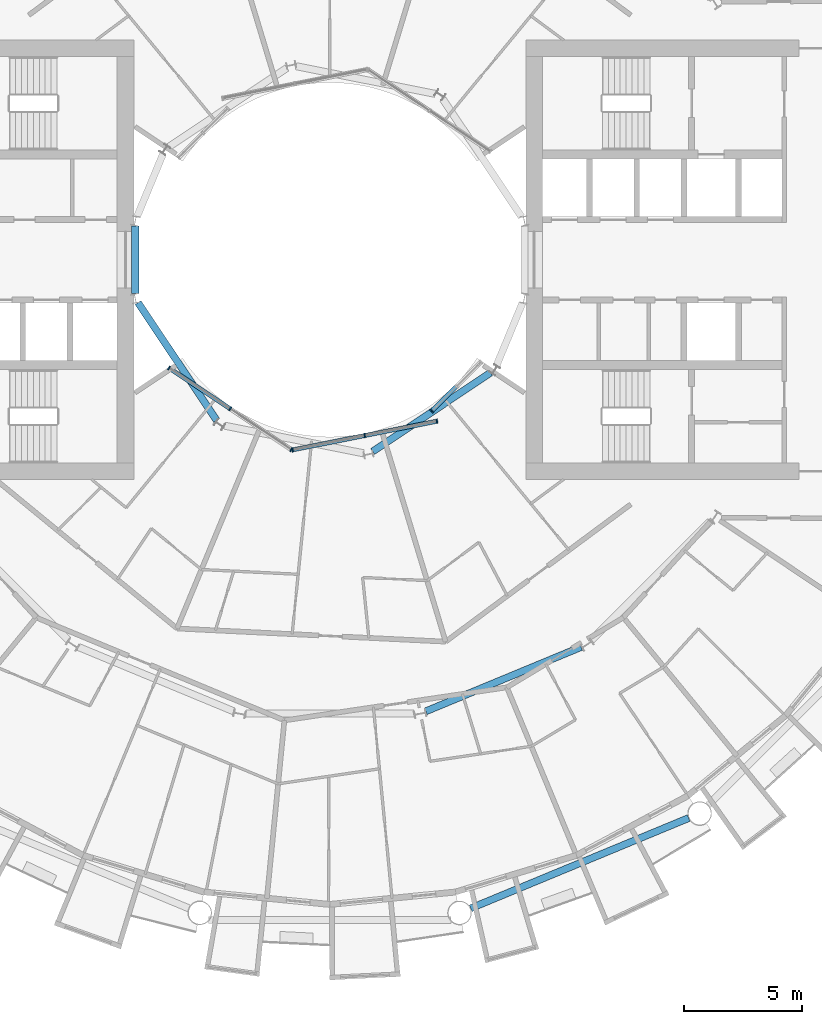
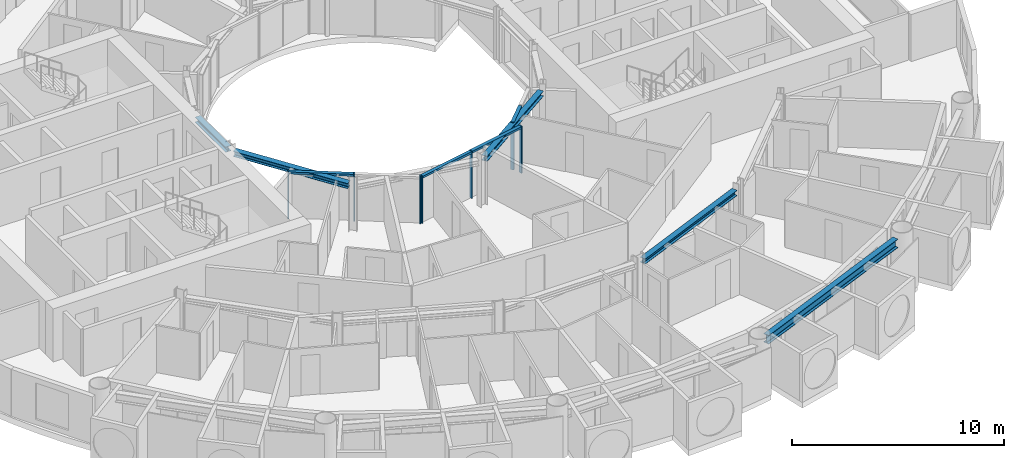
# One storey, part 5 of 26: 11 members, 5 beams, 3 elements without a shape of their own.
"""IFC4 building model written with IfcOpenShell, lengths in metres."""

from ifc_helpers import new_model, si_unit, direction, frame, origin, origin_2d, place, context, subcontext, project, spatial, rectangle, i_section, extrude, material, layer, layer_set, material_profile, profile_set, type_object, element, aggregate, save


model = new_model("IFC4")

# Units and contexts
model_context = context("Model", 3, precision=1e-05, world=origin(), true_north=direction((0.0, 1.0)))
body_context = subcontext(model_context, "Body", "Model", "MODEL_VIEW")
ifc_project = project(units=[si_unit("LENGTHUNIT", "METRE"), si_unit("AREAUNIT", "SQUARE_METRE"), si_unit("VOLUMEUNIT", "CUBIC_METRE"), si_unit("PLANEANGLEUNIT", "RADIAN"), si_unit("MASSUNIT", "GRAM", prefix="KILO")], contexts=[model_context])

# Site, building, storey
site_placement = place(None, origin())
site = spatial("IfcSite", under=ifc_project, at=site_placement, CompositionType="ELEMENT")
building_placement = place(site_placement, origin())
building = spatial("IfcBuilding", under=site, at=building_placement, Name="Maasbend Ring Residences", CompositionType="ELEMENT")
storey_placement = place(building_placement, frame((0.0, 0.0, 78.85009765625)))
storey = spatial("IfcBuildingStorey", under=building, at=storey_placement, Name="L22", CompositionType="ELEMENT", Elevation=78.85009765625)

# Curtain wall, members
ifc_material_1 = material(Name="Aluminium and clear glass", Category="aluminium")
ifc_layer = layer(ifc_material_1, 0.179931640625)
ifc_layer_set = layer_set([ifc_layer], Name="CW-W")
curtain_wall_type = type_object("IfcCurtainWallType", Name="CW-W", PredefinedType="NOTDEFINED", material=ifc_layer_set)
curtain_wall_1_placement = place(storey_placement, origin())
curtain_wall_1 = element("IfcCurtainWall", 1, at=curtain_wall_1_placement, inside=storey, type_object=curtain_wall_type, Name="Well curtain wall S1", PredefinedType="NOTDEFINED")
ifc_material_2 = material(Name="Aluminium 6063-T6", Category="aluminium")
ifc_material_profile_1 = material_profile(ifc_material_2, rectangle(XDim=0.179931640625, YDim=0.06005859375, at=origin_2d()), Name="AL 180x60")
ifc_profile_set_1 = profile_set([ifc_material_profile_1], Name="Aluminium 6063-T6")
member_type_1 = type_object("IfcMemberType", Name="CWM-W", PredefinedType="MULLION", material=ifc_profile_set_1)
member_1_placement = place(storey_placement, frame((-6.805908203125, -4.580810546875, 0.0), z_axis=(0.0, 0.0, 1.0), x_axis=(0.55557023302, 0.831469612303, 0.0)))
member_1 = element("IfcMember", 2, at=member_1_placement, type_object=member_type_1, Name="Mullion well face", PredefinedType="MULLION", context=body_context, shape_type="SweptSolid", body=[
    extrude(rectangle(XDim=0.179931640625, YDim=0.06005859375, at=origin_2d()), origin(), (0.0, 0.0, 1.0), 2.699951171875),
])
member_2_placement = place(storey_placement, frame((-4.216796875, -6.310791015625, 0.0), z_axis=(0.0, 0.0, 1.0), x_axis=(0.55557023302, 0.831469612303, 0.0)))
member_2 = element("IfcMember", 3, at=member_2_placement, type_object=member_type_1, Name="Mullion well face", PredefinedType="MULLION", context=body_context, shape_type="SweptSolid", body=[
    extrude(rectangle(XDim=0.179931640625, YDim=0.06005859375, at=origin_2d()), origin(), (0.0, 0.0, 1.0), 2.699951171875),
])
member_3_placement = place(storey_placement, frame((-1.627685546875, -8.040771484375, 0.0), z_axis=(0.0, 0.0, 1.0), x_axis=(0.55557023302, 0.831469612303, 0.0)))
member_3 = element("IfcMember", 4, at=member_3_placement, type_object=member_type_1, Name="Mullion well face", PredefinedType="MULLION", context=body_context, shape_type="SweptSolid", body=[
    extrude(rectangle(XDim=0.179931640625, YDim=0.06005859375, at=origin_2d()), origin(), (0.0, 0.0, 1.0), 2.699951171875),
])

curtain_wall_2_placement = place(storey_placement, origin())
curtain_wall_2 = element("IfcCurtainWall", 5, at=curtain_wall_2_placement, inside=storey, type_object=curtain_wall_type, Name="Well curtain wall S2", PredefinedType="NOTDEFINED")
member_4_placement = place(storey_placement, frame((-1.5732421875, -8.0517578125, 0.0), z_axis=(0.0, 0.0, 1.0), x_axis=(-0.195090322016, 0.980785280403, 0.0)))
member_4 = element("IfcMember", 6, at=member_4_placement, type_object=member_type_1, Name="Mullion well face", PredefinedType="MULLION", context=body_context, shape_type="SweptSolid", body=[
    extrude(rectangle(XDim=0.179931640625, YDim=0.06005859375, at=origin_2d()), origin(), (0.0, 0.0, 1.0), 2.699951171875),
])
member_5_placement = place(storey_placement, frame((1.480712890625, -7.444091796875, 0.0), z_axis=(0.0, 0.0, 1.0), x_axis=(-0.195090322016, 0.980785280403, 0.0)))
member_5 = element("IfcMember", 7, at=member_5_placement, type_object=member_type_1, Name="Mullion well face", PredefinedType="MULLION", context=body_context, shape_type="SweptSolid", body=[
    extrude(rectangle(XDim=0.179931640625, YDim=0.06005859375, at=origin_2d()), origin(), (0.0, 0.0, 1.0), 2.699951171875),
])
member_6_placement = place(storey_placement, frame((4.53466796875, -6.836669921875, 0.0), z_axis=(0.0, 0.0, 1.0), x_axis=(-0.195090322016, 0.980785280403, 0.0)))
member_6 = element("IfcMember", 8, at=member_6_placement, type_object=member_type_1, Name="Mullion well face", PredefinedType="MULLION", context=body_context, shape_type="SweptSolid", body=[
    extrude(rectangle(XDim=0.179931640625, YDim=0.06005859375, at=origin_2d()), origin(), (0.0, 0.0, 1.0), 2.699951171875),
])

# Curtain wall, member
curtain_wall_3_placement = place(storey_placement, origin())
curtain_wall_3 = element("IfcCurtainWall", 9, at=curtain_wall_3_placement, inside=storey, type_object=curtain_wall_type, Name="Well curtain wall S3", PredefinedType="NOTDEFINED")
member_7_placement = place(storey_placement, frame((4.320556640625, -6.413330078125, 0.0), z_axis=(0.0, 0.0, 1.0), x_axis=(-0.707106781187, 0.707106781187, 0.0)))
member_7 = element("IfcMember", 10, at=member_7_placement, type_object=member_type_1, Name="Mullion well face", PredefinedType="MULLION", context=body_context, shape_type="SweptSolid", body=[
    extrude(rectangle(XDim=0.179931640625, YDim=0.06005859375, at=origin_2d()), origin(), (0.0, 0.0, 1.0), 2.699951171875),
])

# Member
ifc_material_3 = material(Name="Aluminium 6063-T6", Category="aluminium")
ifc_material_profile_2 = material_profile(ifc_material_3, rectangle(XDim=0.179931640625, YDim=0.1201171875, at=origin_2d()), Name="AL 180x120")
ifc_profile_set_2 = profile_set([ifc_material_profile_2], Name="Aluminium 6063-T6")
member_type_2 = type_object("IfcMemberType", Name="CWT-W", PredefinedType="USERDEFINED", material=ifc_profile_set_2)
member_8_placement = place(storey_placement, frame((-6.781005859375, -4.59765625, 2.639892578125), z_axis=(0.831496422459, -0.555530106689, 0.0), x_axis=(0.555530106689, 0.831496422459, 0.0)))
member_8 = element("IfcMember", 11, at=member_8_placement, type_object=member_type_2, Name="Transom well face", ObjectType="TRANSOM", PredefinedType="USERDEFINED", context=body_context, shape_type="SweptSolid", body=[
    extrude(rectangle(XDim=0.179931640625, YDim=0.1201171875, at=origin_2d()), origin(), (0.0, 0.0, 1.0), 3.053955078125),
])

aggregate(curtain_wall_1, [member_1, member_2, member_3, member_8])

member_9_placement = place(storey_placement, frame((-1.5439453125, -8.0458984375, 2.639892578125), z_axis=(0.980776956105, 0.195132166424, 0.0), x_axis=(-0.195132166424, 0.980776956105, 0.0)))
member_9 = element("IfcMember", 12, at=member_9_placement, type_object=member_type_2, Name="Transom well face", ObjectType="TRANSOM", PredefinedType="USERDEFINED", context=body_context, shape_type="SweptSolid", body=[
    extrude(rectangle(XDim=0.179931640625, YDim=0.1201171875, at=origin_2d()), origin(), (0.0, 0.0, 1.0), 3.053955078125),
])

member_10_placement = place(storey_placement, frame((1.51025390625, -7.438232421875, 2.639892578125), z_axis=(0.980789210404, 0.19507056353, 0.0), x_axis=(-0.19507056353, 0.980789210404, 0.0)))
member_10 = element("IfcMember", 13, at=member_10_placement, type_object=member_type_2, Name="Transom well face", ObjectType="TRANSOM", PredefinedType="USERDEFINED", context=body_context, shape_type="SweptSolid", body=[
    extrude(rectangle(XDim=0.179931640625, YDim=0.1201171875, at=origin_2d()), origin(), (0.0, 0.0, 1.0), 3.0537109375),
])

aggregate(curtain_wall_2, [member_4, member_5, member_6, member_9, member_10])

member_11_placement = place(storey_placement, frame((4.341796875, -6.39208984375, 2.639892578125), z_axis=(0.707106781187, 0.707106781187, 0.0), x_axis=(-0.707106781187, 0.707106781187, 0.0)))
member_11 = element("IfcMember", 14, at=member_11_placement, type_object=member_type_2, Name="Transom well face", ObjectType="TRANSOM", PredefinedType="USERDEFINED", context=body_context, shape_type="SweptSolid", body=[
    extrude(rectangle(XDim=0.179931640625, YDim=0.1201171875, at=origin_2d()), origin(), (0.0, 0.0, 1.0), 1.419677734375),
])

aggregate(curtain_wall_3, [member_7, member_11])

# Beams
ifc_material_4 = material(Name="Steel S355J2", Category="steel")
ifc_material_profile_3 = material_profile(ifc_material_4, i_section(OverallWidth=0.300048828125, OverallDepth=0.300048828125, WebThickness=0.010986328125, FlangeThickness=0.01904296875, FilletRadius=0.027099609375, at=origin_2d()), Name="HEB 300")
ifc_profile_set_3 = profile_set([ifc_material_profile_3], Name="Steel S355J2")
beam_type_1 = type_object("IfcBeamType", Name="Corridor ring beam HEB 300", PredefinedType="BEAM", material=ifc_profile_set_3)
beam_1_placement = place(storey_placement, frame((4.070556640625, -19.12109375, 2.5498046875), z_axis=(0.923877113721, 0.382689271788, 0.0), x_axis=(-0.382689271788, 0.923877113721, 0.0)))
element("IfcBeam", 15, at=beam_1_placement, inside=storey, type_object=beam_type_1, Name="Corridor ring beam", PredefinedType="BEAM", context=body_context, shape_type="SweptSolid", body=[
    extrude(i_section(OverallWidth=0.300048828125, OverallDepth=0.300048828125, WebThickness=0.010986328125, FlangeThickness=0.01904296875, FilletRadius=0.027099609375, at=origin_2d()), origin(), (0.0, 0.0, 1.0), 7.11328125),
])
ifc_material_5 = material(Name="Steel S355J2", Category="steel")
ifc_material_profile_4 = material_profile(ifc_material_5, i_section(OverallWidth=0.300048828125, OverallDepth=0.5, WebThickness=0.014404296875, FlangeThickness=0.028076171875, FilletRadius=0.027099609375, at=origin_2d()), Name="HEB 500")
ifc_profile_set_4 = profile_set([ifc_material_profile_4], Name="Steel S355J2")
beam_type_2 = type_object("IfcBeamType", Name="Spandrel ring beam HEB 500", PredefinedType="SPANDREL", material=ifc_profile_set_4)
beam_2_placement = place(storey_placement, frame((5.970703125, -27.463623046875, 2.449951171875), z_axis=(0.923886337442, 0.382667003395, 0.0), x_axis=(-0.382667003395, 0.923886337442, 0.0)))
element("IfcBeam", 16, at=beam_2_placement, inside=storey, type_object=beam_type_2, Name="Spandrel ring beam", PredefinedType="SPANDREL", context=body_context, shape_type="SweptSolid", body=[
    extrude(i_section(OverallWidth=0.300048828125, OverallDepth=0.5, WebThickness=0.014404296875, FlangeThickness=0.028076171875, FilletRadius=0.027099609375, at=origin_2d()), origin(), (0.0, 0.0, 1.0), 9.9873046875),
])
ifc_material_6 = material(Name="Steel S355J2", Category="steel")
ifc_material_profile_5 = material_profile(ifc_material_6, i_section(OverallWidth=0.300048828125, OverallDepth=0.300048828125, WebThickness=0.010986328125, FlangeThickness=0.01904296875, FilletRadius=0.027099609375, at=origin_2d()), Name="HEB 300")
ifc_profile_set_5 = profile_set([ifc_material_profile_5], Name="Steel S355J2")
beam_type_3 = type_object("IfcBeamType", Name="Well edge beam HEB 300", PredefinedType="BEAM", material=ifc_profile_set_5)
beam_3_placement = place(storey_placement, frame((-8.238525390625, 1.434814453125, 2.5498046875), z_axis=(0.0, -1.0, 0.0), x_axis=(1.0, 0.0, 0.0)))
element("IfcBeam", 17, at=beam_3_placement, inside=storey, type_object=beam_type_3, Name="Well edge beam", PredefinedType="BEAM", context=body_context, shape_type="SweptSolid", body=[
    extrude(i_section(OverallWidth=0.300048828125, OverallDepth=0.300048828125, WebThickness=0.010986328125, FlangeThickness=0.01904296875, FilletRadius=0.027099609375, at=origin_2d()), origin(), (0.0, 0.0, 1.0), 2.86962890625),
])
for number, where, z_axis, x_axis, name in (
    (18, (-8.118408203125, -1.81884765625, 2.5498046875), (0.555592533493, -0.83145471117, 0.0), (0.83145471117, 0.555592533493, 0.0), "Well edge beam"),
    (19, (1.81884765625, -8.118408203125, 2.5498046875), (0.83145471117, 0.555592533493, 0.0), (-0.555592533493, 0.83145471117, 0.0), "Well edge beam"),
):
    element("IfcBeam", number, at=place(storey_placement, frame(where, z_axis=z_axis, x_axis=x_axis)), inside=storey, type_object=beam_type_3, Name=name, PredefinedType="BEAM", context=body_context, shape_type="SweptSolid", body=[
        extrude(i_section(OverallWidth=0.300048828125, OverallDepth=0.300048828125, WebThickness=0.010986328125, FlangeThickness=0.01904296875, FilletRadius=0.027099609375, at=origin_2d()), origin(), (0.0, 0.0, 1.0), 5.995849609375),
    ])

save(model, "model.ifc")
